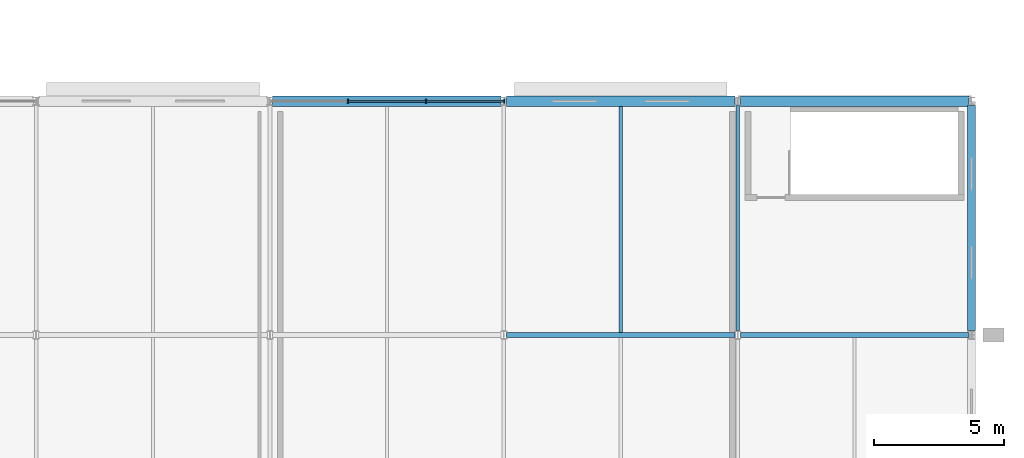
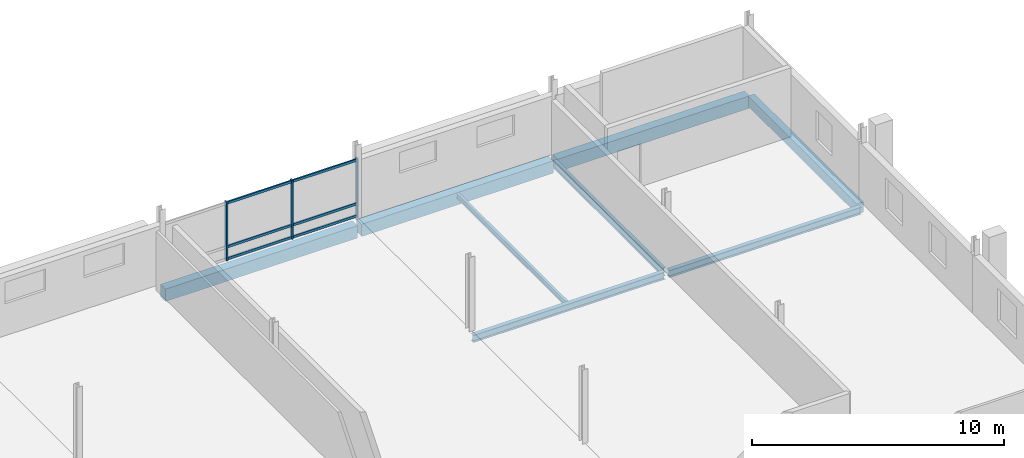
# One storey, part 84 of 132: 9 members, 8 beams, 1 element without a shape of its own.
"""IFC4 building model written with IfcOpenShell, lengths in metres."""

import ifcopenshell
import ifcopenshell.guid

model = None  # the IFC model being written
_history = None  # IfcOwnerHistory: only IFC2X3 demands one
_inside = {}  # id of a spatial element -> (the spatial element, [elements in it])
_under = {}  # id of a project, library or spatial element -> (it, [spatial elements below it])
_declared = {}  # id of a project -> (the project, [libraries it declares])
_typed = {}  # id of a type object -> (the type object, [elements of that type])
_made_of = {}  # id of a material, layer set ... -> (it, [elements and type objects made of it])


def new_model(schema):
    """Start an empty IFC model of exactly this schema.

    Asked for "IFC4X3", IfcOpenShell would pick the latest addendum, in which some entities
    have other attributes; the version numbers below select the first issue.
    IFC2X3 requires an IfcOwnerHistory on every rooted entity: one is made here for all.
    """
    global model, _history
    if schema == "IFC4X3":
        model = ifcopenshell.file(schema_version=(4, 3, 0, 0))
    else:
        model = ifcopenshell.file(schema=schema)
    _inside.clear()
    _under.clear()
    _declared.clear()
    _typed.clear()
    _made_of.clear()
    _history = None
    if model.schema == "IFC2X3":
        org = make("IfcOrganization", Name="unknown")
        user = make(
            "IfcPersonAndOrganization",
            ThePerson=make("IfcPerson", FamilyName="unknown"),
            TheOrganization=org,
        )
        app = make(
            "IfcApplication",
            ApplicationDeveloper=org,
            Version="unknown",
            ApplicationFullName="unknown",
            ApplicationIdentifier="unknown",
        )
        _history = make(
            "IfcOwnerHistory",
            OwningUser=user,
            OwningApplication=app,
            ChangeAction="ADDED",
            CreationDate=0,
        )
    return model


def make(cls, **values):
    """One entity of the class cls with the attributes given. An attribute that is None is left unset."""
    return model.create_entity(
        cls, **{name: value for name, value in values.items() if value is not None}
    )


def rooted(cls, **values):
    """An entity with a GlobalId (a new one), such as an element, a storey or a relation."""
    return make(cls, GlobalId=ifcopenshell.guid.new(), OwnerHistory=_history, **values)


def si_unit(unit_type, name, prefix=None):
    """IfcSIUnit, for example si_unit("LENGTHUNIT", "METRE", prefix="MILLI")."""
    return make("IfcSIUnit", UnitType=unit_type, Prefix=prefix, Name=name)


def assignment(units):
    """IfcUnitAssignment: the units of a project."""
    return None if units is None else make("IfcUnitAssignment", Units=units)


def point(xyz):
    """IfcCartesianPoint."""
    return None if xyz is None else make("IfcCartesianPoint", Coordinates=xyz)


def direction(xyz):
    """IfcDirection."""
    return None if xyz is None else make("IfcDirection", DirectionRatios=xyz)


def frame(location, z_axis=None, x_axis=None):
    """IfcAxis2Placement3D, a coordinate frame: its origin and axes. An axis left out is left unset."""
    return make(
        "IfcAxis2Placement3D",
        Location=point(location),
        Axis=direction(z_axis),
        RefDirection=direction(x_axis),
    )


def frame_2d(location, x_axis=None):
    """IfcAxis2Placement2D, a coordinate frame in the plane: its origin and x axis."""
    return make(
        "IfcAxis2Placement2D", Location=point(location), RefDirection=direction(x_axis)
    )


def origin():
    """The frame at (0, 0, 0) with its axes left unset."""
    return frame((0.0, 0.0, 0.0))


def origin_2d():
    """The frame at (0, 0) in the plane with its x axis left unset."""
    return frame_2d((0.0, 0.0))


def place(relative_to, where):
    """IfcLocalPlacement: puts the frame where relative to a parent placement (None: the world)."""
    return make(
        "IfcLocalPlacement", PlacementRelTo=relative_to, RelativePlacement=where
    )


def context(
    kind, dimensions, precision=None, world=None, true_north=None, identifier=None
):
    """IfcGeometricRepresentationContext, for example the 3D "Model" context."""
    return make(
        "IfcGeometricRepresentationContext",
        ContextIdentifier=identifier,
        ContextType=kind,
        CoordinateSpaceDimension=dimensions,
        Precision=precision,
        WorldCoordinateSystem=world,
        TrueNorth=true_north,
    )


def subcontext(parent, identifier, kind, view, scale=None):
    """IfcGeometricRepresentationSubContext, for example "Body" below "Model"."""
    return make(
        "IfcGeometricRepresentationSubContext",
        ContextIdentifier=identifier,
        ContextType=kind,
        ParentContext=parent,
        TargetScale=scale,
        TargetView=view,
    )


def project(units=None, contexts=None):
    """IfcProject with its units and contexts."""
    return rooted(
        "IfcProject",
        Name="project",
        RepresentationContexts=contexts,
        UnitsInContext=assignment(units),
    )


def spatial(cls, under=None, at=None, **own):
    """A site, building, storey or space (cls), placed at a placement, below another one or the project."""
    s = rooted(cls, ObjectPlacement=at, **own)
    if under is not None:
        _under.setdefault(under.id(), (under, []))[1].append(s)
    return s


def profile(cls, at=None, kind="AREA", **sizes):
    """A parametric profile (cls). Its sizes go by their IFC names, for example OverallWidth=200.0."""
    return make(cls, ProfileType=kind, Position=at, **sizes)


def rectangle(**sizes):
    """IfcRectangleProfileDef."""
    return profile("IfcRectangleProfileDef", **sizes)


def i_section(**sizes):
    """IfcIShapeProfileDef."""
    return profile("IfcIShapeProfileDef", **sizes)


def extrude(swept, where, along, depth):
    """IfcExtrudedAreaSolid: the profile swept, set in the frame where, extruded along a direction by depth."""
    return make(
        "IfcExtrudedAreaSolid",
        SweptArea=swept,
        Position=where,
        ExtrudedDirection=direction(along),
        Depth=depth,
    )


def shape(context_of_items, identifier, shape_type, items):
    """IfcShapeRepresentation: the items that make up one representation, for example the "Body"."""
    return make(
        "IfcShapeRepresentation",
        ContextOfItems=context_of_items,
        RepresentationIdentifier=identifier,
        RepresentationType=shape_type,
        Items=items,
    )


def material(Name=None, Category=None):
    """IfcMaterial."""
    return make("IfcMaterial", Name=Name, Category=Category)


def material_profile(
    of_material, cross_section, Name=None, Category=None, Priority=None
):
    """IfcMaterialProfile: a cross section and its material."""
    return make(
        "IfcMaterialProfile",
        Name=Name,
        Material=of_material,
        Profile=cross_section,
        Priority=Priority,
        Category=Category,
    )


def profile_set(profiles, Name=None, composite=None):
    """IfcMaterialProfileSet."""
    return make(
        "IfcMaterialProfileSet",
        Name=Name,
        MaterialProfiles=profiles,
        CompositeProfile=composite,
    )


def made_of(thing, what):
    """Note that an element or type object is made of a material, layer set ...; save() writes the relation."""
    if what is not None:
        _made_of.setdefault(what.id(), (what, []))[1].append(thing)
    return thing


def type_object(cls, material=None, **own):
    """A type object (cls), such as IfcWallType, which elements share."""
    return made_of(rooted(cls, **own), material)


def element(
    cls,
    number,
    at=None,
    inside=None,
    cuts=None,
    type_object=None,
    material=None,
    context=None,
    identifier="Body",
    shape_type=None,
    held_by="IfcProductDefinitionShape",
    body=None,
    shapes=None,
    **own,
):
    """One element of the class cls, such as IfcWall. Its Tag is "e" and its number.

    at: its placement. inside: the storey or other place that contains it. cuts: it is an
    opening in that element (IfcRelVoidsElement). A single representation is given by context,
    identifier, shape_type and body (its items); several are given by shapes. held_by: the class
    of the entity that holds the representations. save() writes the other relations.
    """
    e = rooted(cls, Tag="e%d" % number, ObjectPlacement=at, **own)
    if body is not None:
        shapes = [shape(context, identifier, shape_type, body)]
    if shapes is not None:
        e.Representation = make(held_by, Representations=shapes)
    if inside is not None:
        _inside.setdefault(inside.id(), (inside, []))[1].append(e)
    if cuts is not None:
        rooted(
            "IfcRelVoidsElement", RelatingBuildingElement=cuts, RelatedOpeningElement=e
        )
    if type_object is not None:
        _typed.setdefault(type_object.id(), (type_object, []))[1].append(e)
    return made_of(e, material)


def aggregate(whole, parts):
    """IfcRelAggregates: a whole, such as a stair, and the parts it consists of."""
    return rooted("IfcRelAggregates", RelatingObject=whole, RelatedObjects=parts)


def save(model, path):
    """Write the relations noted so far, then the file.

    IfcRelAggregates (storeys below a building ...), IfcRelContainedInSpatialStructure (elements
    in a storey), IfcRelDefinesByType, IfcRelAssociatesMaterial and IfcRelDeclares: one each for
    every whole, place, type object, material and project.
    """
    for whole, parts in _under.values():
        aggregate(whole, parts)
    for where, things in _inside.values():
        rooted(
            "IfcRelContainedInSpatialStructure",
            RelatedElements=things,
            RelatingStructure=where,
        )
    for kind, things in _typed.values():
        rooted("IfcRelDefinesByType", RelatedObjects=things, RelatingType=kind)
    for what, things in _made_of.values():
        rooted("IfcRelAssociatesMaterial", RelatedObjects=things, RelatingMaterial=what)
    for by, libraries in _declared.values():
        rooted("IfcRelDeclares", RelatingContext=by, RelatedDefinitions=libraries)
    model.write(path)


model = new_model("IFC4")

# Units and contexts
model_context = context("Model", 3, precision=1e-05, world=origin(), true_north=direction((0.0, 1.0)))
body_context = subcontext(model_context, "Body", "Model", "MODEL_VIEW")
ifc_project = project(units=[si_unit("LENGTHUNIT", "METRE"), si_unit("AREAUNIT", "SQUARE_METRE"), si_unit("VOLUMEUNIT", "CUBIC_METRE"), si_unit("PLANEANGLEUNIT", "RADIAN"), si_unit("MASSUNIT", "GRAM", prefix="KILO")], contexts=[model_context])

# Site, building, storey
site_placement = place(None, origin())
site = spatial("IfcSite", under=ifc_project, at=site_placement, CompositionType="ELEMENT")
building_placement = place(site_placement, origin())
building = spatial("IfcBuilding", under=site, at=building_placement, Name="Tharagai Park Tramway Depot", CompositionType="ELEMENT")
storey_placement = place(building_placement, frame((0.0, 0.0, 4.800048828125)))
storey = spatial("IfcBuildingStorey", under=building, at=storey_placement, Name="L01", CompositionType="ELEMENT", Elevation=4.800048828125)

# Beams
ifc_material_1 = material(Name="Steel E350", Category="steel")
ifc_material_profile_1 = material_profile(ifc_material_1, i_section(OverallWidth=0.139892578125, OverallDepth=0.39990234375, WebThickness=0.0087890625, FlangeThickness=0.01611328125, FilletRadius=0.013916015625, at=origin_2d()), Name="ISMB 400")
ifc_profile_set_1 = profile_set([ifc_material_profile_1], Name="Steel E350")
beam_type_1 = type_object("IfcBeamType", Name="BM-06", PredefinedType="BEAM", material=ifc_profile_set_1)
beam_1_placement = place(storey_placement, frame((207.0, 126.175048828125, -0.47998046875), z_axis=(0.0, 1.0, 0.0), x_axis=(-1.0, 0.0, 0.0)))
element("IfcBeam", 1, at=beam_1_placement, inside=storey, type_object=beam_type_1, Name="L01 Grid Beam BM-06", PredefinedType="BEAM", context=body_context, shape_type="SweptSolid", body=[
    extrude(i_section(OverallWidth=0.139892578125, OverallDepth=0.39990234375, WebThickness=0.0087890625, FlangeThickness=0.01611328125, FilletRadius=0.013916015625, at=origin_2d()), origin(), (0.0, 0.0, 1.0), 8.64990234375),
])
ifc_material_profile_2 = material_profile(ifc_material_1, i_section(OverallWidth=0.199951171875, OverallDepth=0.35009765625, WebThickness=0.008056640625, FlangeThickness=0.011474609375, FilletRadius=0.011962890625, at=origin_2d()), Name="ISWB 350")
ifc_profile_set_2 = profile_set([ifc_material_profile_2], Name="Steel E350")
beam_type_2 = type_object("IfcBeamType", Name="BM-15", PredefinedType="BEAM", material=ifc_profile_set_2)
for number, where, z_axis, x_axis, name in (
    (2, (198.10009765625, 126.0, -0.455078125), (1.0, 0.0, 0.0), (0.0, 1.0, 0.0), "L01 Grid Beam BM-15"),
    (3, (207.10009765625, 126.0, -0.455078125), (1.0, 0.0, 0.0), (0.0, 1.0, 0.0), "L01 Grid Beam BM-15"),
):
    element("IfcBeam", number, at=place(storey_placement, frame(where, z_axis=z_axis, x_axis=x_axis)), inside=storey, type_object=beam_type_2, Name=name, PredefinedType="BEAM", context=body_context, shape_type="SweptSolid", body=[
        extrude(i_section(OverallWidth=0.199951171875, OverallDepth=0.35009765625, WebThickness=0.008056640625, FlangeThickness=0.011474609375, FilletRadius=0.011962890625, at=origin_2d()), origin(), (0.0, 0.0, 1.0), 8.7998046875),
    ])

# Curtain wall, members
ifc_material_2 = material(Name="Anodised aluminium", Category="aluminium")
curtain_wall_type = type_object("IfcCurtainWallType", Name="CW-01", PredefinedType="NOTDEFINED", material=ifc_material_2)
curtain_wall_placement = place(storey_placement, origin())
curtain_wall = element("IfcCurtainWall", 4, at=curtain_wall_placement, inside=storey, type_object=curtain_wall_type, Name="L01 V3 Gothic Mullioned Curtain Wall CW-01", PredefinedType="NOTDEFINED")
ifc_material_profile_3 = material_profile(ifc_material_2, rectangle(XDim=0.06494140625, YDim=0.1201171875, at=origin_2d()), Name="ALU 65x120")
ifc_profile_set_3 = profile_set([ifc_material_profile_3], Name="Anodised aluminium")
member_type_1 = type_object("IfcMemberType", Name="CM-01", PredefinedType="USERDEFINED", material=ifc_profile_set_3)
member_1_placement = place(storey_placement, frame((192.013671875, 135.0, 0.06005859375), z_axis=(1.0, 0.0, 0.0), x_axis=(0.0, 1.0, 0.0)))
member_1 = element("IfcMember", 5, at=member_1_placement, type_object=member_type_1, Name="L01 V3 Gothic Mullioned Curtain Wall Transom 2.1", ObjectType="TRANSOM", PredefinedType="USERDEFINED", context=body_context, shape_type="SweptSolid", body=[
    extrude(rectangle(XDim=0.06494140625, YDim=0.1201171875, at=origin_2d()), origin(), (0.0, 0.0, 1.0), 2.97265625),
])
member_2_placement = place(storey_placement, frame((192.013671875, 135.0, 0.64990234375), z_axis=(1.0, 0.0, 0.0), x_axis=(0.0, 1.0, 0.0)))
member_2 = element("IfcMember", 6, at=member_2_placement, type_object=member_type_1, Name="L01 V3 Gothic Mullioned Curtain Wall Transom 2.2", ObjectType="TRANSOM", PredefinedType="USERDEFINED", context=body_context, shape_type="SweptSolid", body=[
    extrude(rectangle(XDim=0.06494140625, YDim=0.1201171875, at=origin_2d()), origin(), (0.0, 0.0, 1.0), 2.97265625),
])
member_3_placement = place(storey_placement, frame((192.013671875, 135.0, 2.77001953125), z_axis=(1.0, 0.0, 0.0), x_axis=(0.0, 1.0, 0.0)))
member_3 = element("IfcMember", 7, at=member_3_placement, type_object=member_type_1, Name="L01 V3 Gothic Mullioned Curtain Wall Transom 2.3", ObjectType="TRANSOM", PredefinedType="USERDEFINED", context=body_context, shape_type="SweptSolid", body=[
    extrude(rectangle(XDim=0.06494140625, YDim=0.1201171875, at=origin_2d()), origin(), (0.0, 0.0, 1.0), 2.97265625),
])
member_4_placement = place(storey_placement, frame((195.016357421875, 135.0, 0.06005859375), z_axis=(1.0, 0.0, 0.0), x_axis=(0.0, 1.0, 0.0)))
member_4 = element("IfcMember", 8, at=member_4_placement, type_object=member_type_1, Name="L01 V3 Gothic Mullioned Curtain Wall Transom 3.1", ObjectType="TRANSOM", PredefinedType="USERDEFINED", context=body_context, shape_type="SweptSolid", body=[
    extrude(rectangle(XDim=0.06494140625, YDim=0.1201171875, at=origin_2d()), origin(), (0.0, 0.0, 1.0), 2.97265625),
])
member_5_placement = place(storey_placement, frame((195.016357421875, 135.0, 0.64990234375), z_axis=(1.0, 0.0, 0.0), x_axis=(0.0, 1.0, 0.0)))
member_5 = element("IfcMember", 9, at=member_5_placement, type_object=member_type_1, Name="L01 V3 Gothic Mullioned Curtain Wall Transom 3.2", ObjectType="TRANSOM", PredefinedType="USERDEFINED", context=body_context, shape_type="SweptSolid", body=[
    extrude(rectangle(XDim=0.06494140625, YDim=0.1201171875, at=origin_2d()), origin(), (0.0, 0.0, 1.0), 2.97265625),
])
member_6_placement = place(storey_placement, frame((195.016357421875, 135.0, 2.77001953125), z_axis=(1.0, 0.0, 0.0), x_axis=(0.0, 1.0, 0.0)))
member_6 = element("IfcMember", 10, at=member_6_placement, type_object=member_type_1, Name="L01 V3 Gothic Mullioned Curtain Wall Transom 3.3", ObjectType="TRANSOM", PredefinedType="USERDEFINED", context=body_context, shape_type="SweptSolid", body=[
    extrude(rectangle(XDim=0.06494140625, YDim=0.1201171875, at=origin_2d()), origin(), (0.0, 0.0, 1.0), 2.97265625),
])
ifc_material_profile_4 = material_profile(ifc_material_2, rectangle(XDim=0.06494140625, YDim=0.14990234375, at=origin_2d()), Name="ALU 65x150")
ifc_profile_set_4 = profile_set([ifc_material_profile_4], Name="Anodised aluminium")
member_type_2 = type_object("IfcMemberType", Name="CM-03", PredefinedType="MULLION", material=ifc_profile_set_4)
member_7_placement = place(storey_placement, frame((191.998779296875, 135.0, -0.005126953125), z_axis=(0.0, 0.0, 1.0), x_axis=(1.0, 0.0, 0.0)))
member_7 = element("IfcMember", 11, at=member_7_placement, type_object=member_type_2, Name="L01 V3 Gothic Mullioned Curtain Wall Mullion 2", PredefinedType="MULLION", context=body_context, shape_type="SweptSolid", body=[
    extrude(rectangle(XDim=0.06494140625, YDim=0.14990234375, at=origin_2d()), origin(), (0.0, 0.0, 1.0), 2.860107421875),
])
member_8_placement = place(storey_placement, frame((195.001220703125, 135.0, -0.005126953125), z_axis=(0.0, 0.0, 1.0), x_axis=(1.0, 0.0, 0.0)))
member_8 = element("IfcMember", 12, at=member_8_placement, type_object=member_type_2, Name="L01 V3 Gothic Mullioned Curtain Wall Mullion 3", PredefinedType="MULLION", context=body_context, shape_type="SweptSolid", body=[
    extrude(rectangle(XDim=0.06494140625, YDim=0.14990234375, at=origin_2d()), origin(), (0.0, 0.0, 1.0), 2.860107421875),
])
member_9_placement = place(storey_placement, frame((198.00390625, 135.0, -0.005126953125), z_axis=(0.0, 0.0, 1.0), x_axis=(1.0, 0.0, 0.0)))
member_9 = element("IfcMember", 13, at=member_9_placement, type_object=member_type_2, Name="L01 V3 Gothic Mullioned Curtain Wall Mullion 4", PredefinedType="MULLION", context=body_context, shape_type="SweptSolid", body=[
    extrude(rectangle(XDim=0.06494140625, YDim=0.14990234375, at=origin_2d()), origin(), (0.0, 0.0, 1.0), 2.860107421875),
])
aggregate(curtain_wall, [member_7, member_8, member_9, member_1, member_2, member_3, member_4, member_5, member_6])

# Beams
ifc_material_3 = material(Name="Steel E250", Category="steel")
ifc_material_profile_5 = material_profile(ifc_material_3, i_section(OverallWidth=0.125, OverallDepth=0.25, WebThickness=0.0068359375, FlangeThickness=0.012451171875, FilletRadius=0.012939453125, at=origin_2d()), Name="ISMB 250")
ifc_profile_set_5 = profile_set([ifc_material_profile_5], Name="Steel E250")
beam_type_3 = type_object("IfcBeamType", Name="JT-02", PredefinedType="JOIST", material=ifc_profile_set_5)
beam_2_placement = place(storey_placement, frame((202.5, 126.10009765625, -0.405029296875), z_axis=(0.0, 1.0, 0.0), x_axis=(-1.0, 0.0, 0.0)))
element("IfcBeam", 14, at=beam_2_placement, inside=storey, type_object=beam_type_3, Name="L01 Secondary Joist JT-02", PredefinedType="JOIST", context=body_context, shape_type="SweptSolid", body=[
    extrude(i_section(OverallWidth=0.125, OverallDepth=0.25, WebThickness=0.0068359375, FlangeThickness=0.012451171875, FilletRadius=0.012939453125, at=origin_2d()), origin(), (0.0, 0.0, 1.0), 8.699951171875),
])
ifc_material_4 = material(Name="Concrete M35", Category="concrete")
ifc_material_profile_6 = material_profile(ifc_material_4, rectangle(XDim=0.39990234375, YDim=0.60009765625, at=origin_2d()), Name="RC 400x600")
ifc_profile_set_6 = profile_set([ifc_material_profile_6], Name="Concrete M35")
beam_type_4 = type_object("IfcBeamType", Name="SP-02", PredefinedType="SPANDREL", material=ifc_profile_set_6)
for number, where, z_axis, x_axis, name in (
    (15, (189.10009765625, 135.0, -0.580078125), (1.0, 0.0, 0.0), (0.0, 1.0, 0.0), "L01 Grid Beam SP-02"),
    (16, (198.10009765625, 135.0, -0.580078125), (1.0, 0.0, 0.0), (0.0, 1.0, 0.0), "L01 Grid Beam SP-02"),
    (17, (207.10009765625, 135.0, -0.580078125), (1.0, 0.0, 0.0), (0.0, 1.0, 0.0), "L01 Grid Beam SP-02"),
):
    element("IfcBeam", number, at=place(storey_placement, frame(where, z_axis=z_axis, x_axis=x_axis)), inside=storey, type_object=beam_type_4, Name=name, PredefinedType="SPANDREL", context=body_context, shape_type="SweptSolid", body=[
        extrude(rectangle(XDim=0.39990234375, YDim=0.60009765625, at=origin_2d()), origin(), (0.0, 0.0, 1.0), 8.7998046875),
    ])
ifc_material_profile_7 = material_profile(ifc_material_4, rectangle(XDim=0.300048828125, YDim=0.5, at=origin_2d()), Name="RC 300x500")
ifc_profile_set_7 = profile_set([ifc_material_profile_7], Name="Concrete M35")
beam_type_5 = type_object("IfcBeamType", Name="SP-03", PredefinedType="SPANDREL", material=ifc_profile_set_7)
beam_3_placement = place(storey_placement, frame((216.0, 126.175048828125, -0.530029296875), z_axis=(0.0, 1.0, 0.0), x_axis=(-1.0, 0.0, 0.0)))
element("IfcBeam", 18, at=beam_3_placement, inside=storey, type_object=beam_type_5, Name="L01 Grid Beam SP-03", PredefinedType="SPANDREL", context=body_context, shape_type="SweptSolid", body=[
    extrude(rectangle(XDim=0.300048828125, YDim=0.5, at=origin_2d()), origin(), (0.0, 0.0, 1.0), 8.64990234375),
])

save(model, "model.ifc")
